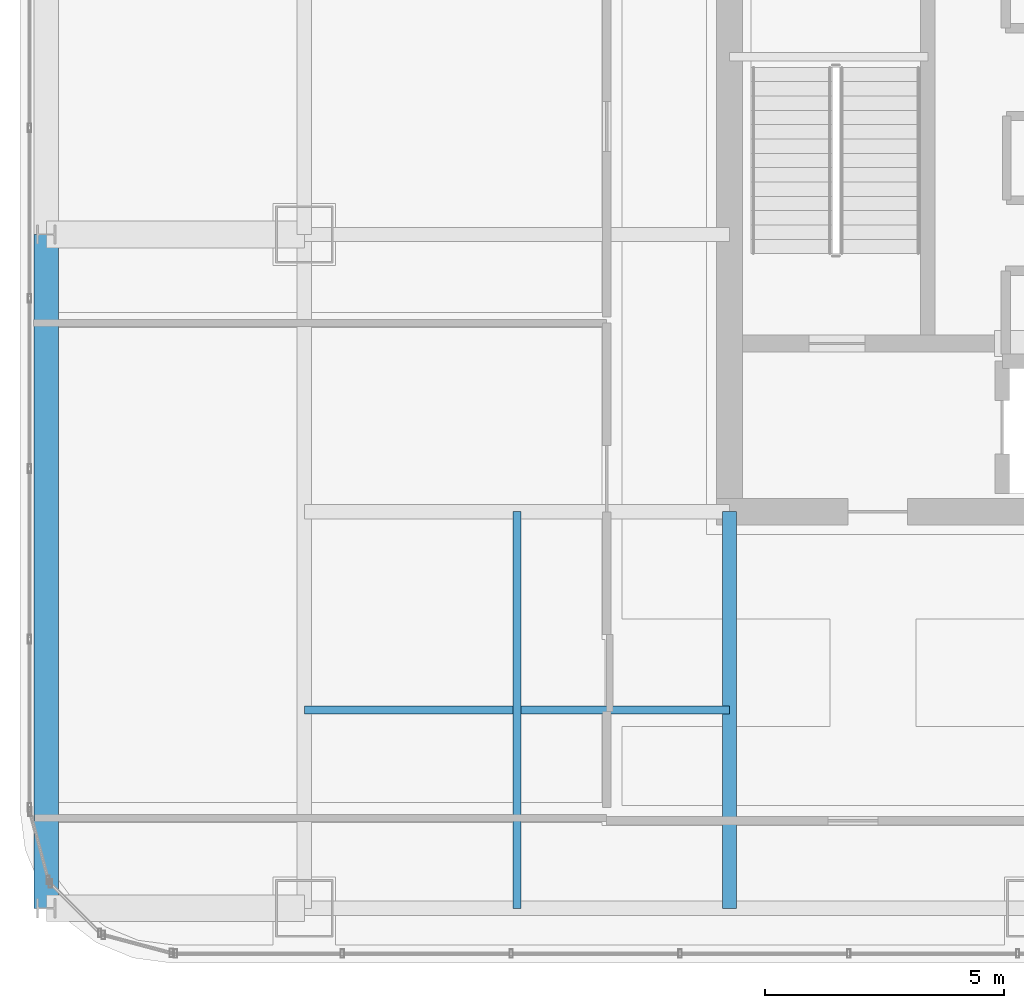
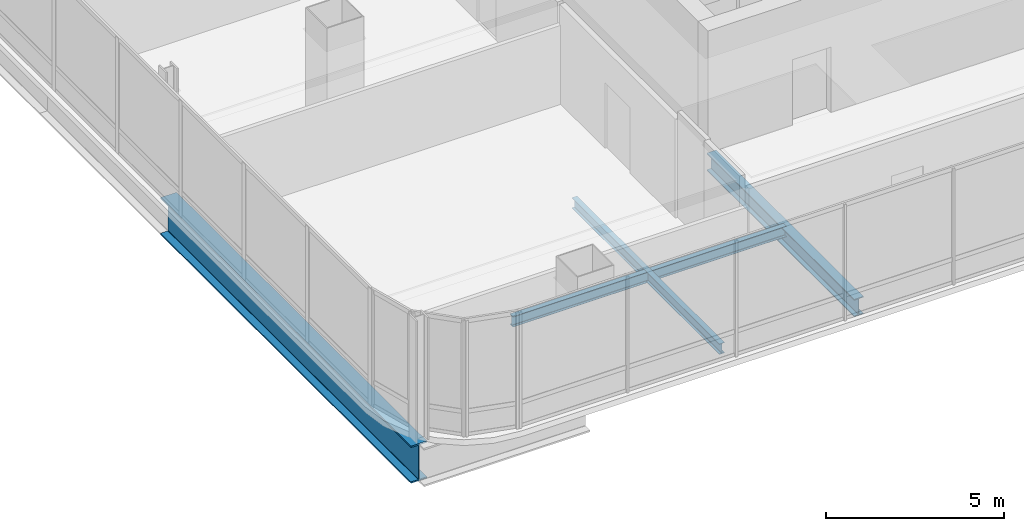
# One storey, part 4 of 41: 4 beams.
"""IFC4 building model written with IfcOpenShell, lengths in metres."""

from ifc_helpers import new_model, si_unit, direction, frame, origin, origin_2d, place, context, subcontext, project, spatial, i_section, extrude, material, material_profile, profile_set, type_object, element, save


model = new_model("IFC4")

# Units and contexts
model_context = context("Model", 3, precision=1e-05, world=origin(), true_north=direction((0.0, 1.0)))
body_context = subcontext(model_context, "Body", "Model", "MODEL_VIEW")
ifc_project = project(units=[si_unit("LENGTHUNIT", "METRE"), si_unit("AREAUNIT", "SQUARE_METRE"), si_unit("VOLUMEUNIT", "CUBIC_METRE"), si_unit("PLANEANGLEUNIT", "RADIAN"), si_unit("MASSUNIT", "GRAM", prefix="KILO")], contexts=[model_context])

# Site, building, storey
site_placement = place(None, origin())
site = spatial("IfcSite", under=ifc_project, at=site_placement, CompositionType="ELEMENT")
building_placement = place(site_placement, origin())
building = spatial("IfcBuilding", under=site, at=building_placement, Name="Punatoya Terracotta Tower", CompositionType="ELEMENT")
storey_placement = place(building_placement, frame((0.0, 0.0, 309.0)))
storey = spatial("IfcBuildingStorey", under=building, at=storey_placement, Name="L73", CompositionType="ELEMENT", Elevation=309.0)

# Beams
ifc_material_1 = material(Name="Steel S355", Category="steel")
ifc_material_profile_1 = material_profile(ifc_material_1, i_section(OverallWidth=0.300048828125, OverallDepth=0.60009765625, WebThickness=0.015380859375, FlangeThickness=0.030029296875, FilletRadius=0.01806640625, at=origin_2d()))
ifc_profile_set_1 = profile_set([ifc_material_profile_1], Name="Steel S355")
beam_type_1 = type_object("IfcBeamType", Name="BM-PRI-600", PredefinedType="BEAM", material=ifc_profile_set_1)
beam_1_placement = place(storey_placement, frame((-10.199951171875, -17.5, -0.5), z_axis=(0.0, 1.0, 0.0), x_axis=(-1.0, 0.0, 0.0)))
element("IfcBeam", 1, at=beam_1_placement, inside=storey, type_object=beam_type_1, Name="BM-L73-PR-S1", PredefinedType="BEAM", context=body_context, shape_type="SweptSolid", body=[
    extrude(i_section(OverallWidth=0.300048828125, OverallDepth=0.60009765625, WebThickness=0.015380859375, FlangeThickness=0.030029296875, FilletRadius=0.01806640625, at=origin_2d()), origin(), (0.0, 0.0, 1.0), 8.300048828125),
])
ifc_material_profile_2 = material_profile(ifc_material_1, i_section(OverallWidth=0.169921875, OverallDepth=0.360107421875, WebThickness=0.008056640625, FlangeThickness=0.0126953125, FilletRadius=0.01806640625, at=origin_2d()))
ifc_profile_set_2 = profile_set([ifc_material_profile_2], Name="Steel S355")
beam_type_2 = type_object("IfcBeamType", Name="BM-SEC-360", PredefinedType="JOIST", material=ifc_profile_set_2)
beam_2_placement = place(storey_placement, frame((-19.10009765625, -13.35009765625, -0.3798828125), z_axis=(1.0, 0.0, 0.0), x_axis=(0.0, 1.0, 0.0)))
element("IfcBeam", 2, at=beam_2_placement, inside=storey, type_object=beam_type_2, Name="BM-L73-SJS-1", PredefinedType="JOIST", context=body_context, shape_type="SweptSolid", body=[
    extrude(i_section(OverallWidth=0.169921875, OverallDepth=0.360107421875, WebThickness=0.008056640625, FlangeThickness=0.0126953125, FilletRadius=0.01806640625, at=origin_2d()), origin(), (0.0, 0.0, 1.0), 8.900146484375),
])
beam_3_placement = place(storey_placement, frame((-14.64990234375, -17.5, -0.3798828125), z_axis=(0.0, 1.0, 0.0), x_axis=(-1.0, 0.0, 0.0)))
element("IfcBeam", 3, at=beam_3_placement, inside=storey, type_object=beam_type_2, Name="BM-L73-SJW-1", PredefinedType="JOIST", context=body_context, shape_type="SweptSolid", body=[
    extrude(i_section(OverallWidth=0.169921875, OverallDepth=0.360107421875, WebThickness=0.008056640625, FlangeThickness=0.0126953125, FilletRadius=0.01806640625, at=origin_2d()), origin(), (0.0, 0.0, 1.0), 8.300048828125),
])
ifc_material_2 = material(Name="Steel S460", Category="steel")
ifc_material_profile_3 = material_profile(ifc_material_2, i_section(OverallWidth=0.52001953125, OverallDepth=1.280029296875, WebThickness=0.031982421875, FlangeThickness=0.050048828125, FilletRadius=0.01806640625, at=origin_2d()))
ifc_profile_set_3 = profile_set([ifc_material_profile_3], Name="Steel S460")
beam_type_3 = type_object("IfcBeamType", Name="BM-TG-NCK", PredefinedType="BEAM", material=ifc_profile_set_3)
beam_4_placement = place(storey_placement, frame((-24.5, -17.5, -0.840087890625), z_axis=(0.0, 1.0, 0.0), x_axis=(-1.0, 0.0, 0.0)))
element("IfcBeam", 4, at=beam_4_placement, inside=storey, type_object=beam_type_3, Name="BM-L73-PER-W1", PredefinedType="BEAM", context=body_context, shape_type="SweptSolid", body=[
    extrude(i_section(OverallWidth=0.52001953125, OverallDepth=1.280029296875, WebThickness=0.031982421875, FlangeThickness=0.050048828125, FilletRadius=0.01806640625, at=origin_2d()), origin(), (0.0, 0.0, 1.0), 14.10009765625),
])

save(model, "model.ifc")
